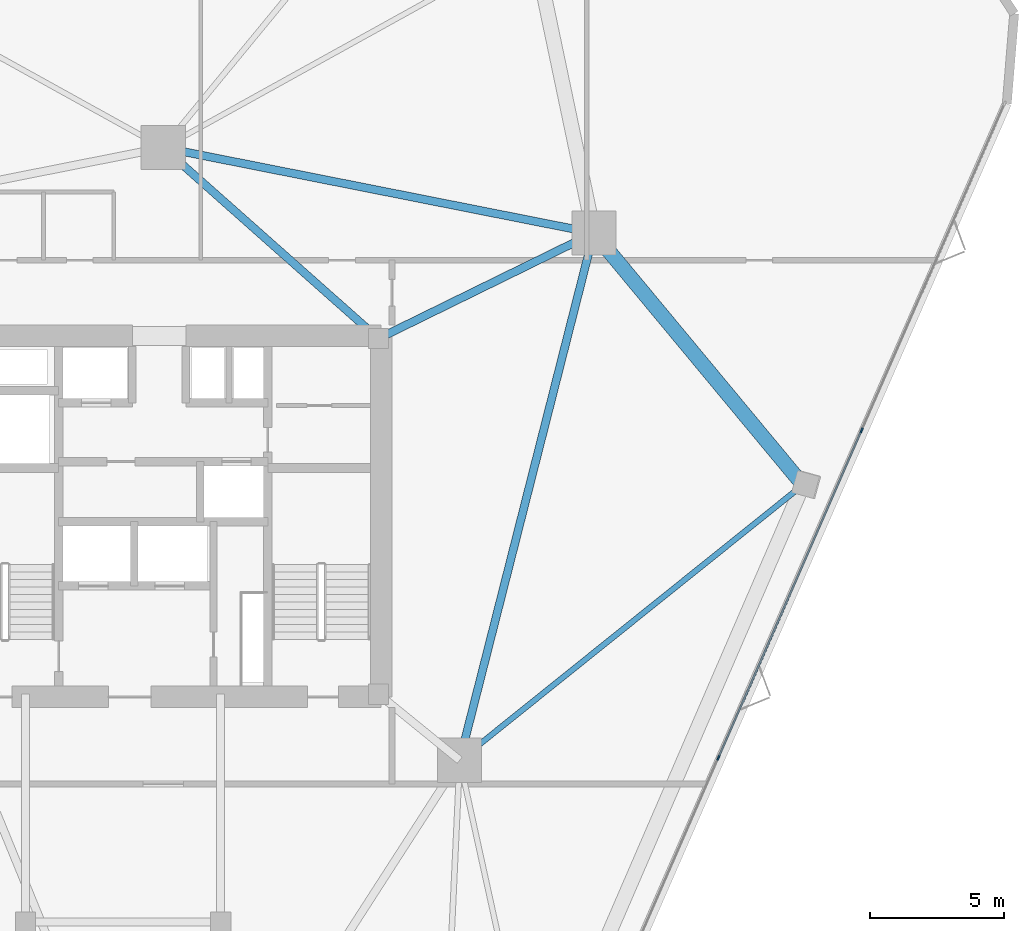
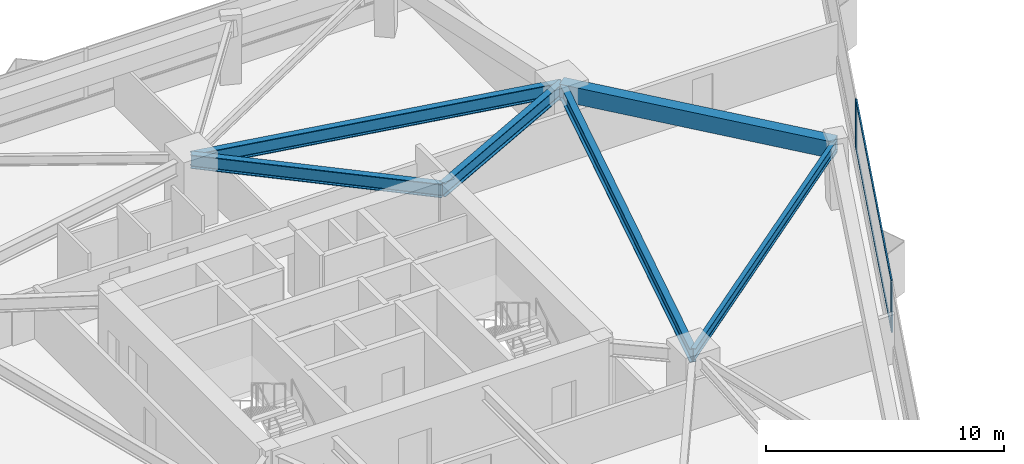
# One storey, part 9 of 19: 6 beams, 4 members, 1 element without a shape of its own.
"""IFC4 building model written with IfcOpenShell, lengths in metres."""

from ifc_helpers import new_model, si_unit, direction, frame, origin, origin_2d, place, context, subcontext, project, spatial, rectangle, i_section, extrude, material, layer, layer_set, material_profile, profile_set, type_object, element, aggregate, save


model = new_model("IFC4")

# Units and contexts
model_context = context("Model", 3, precision=1e-05, world=origin(), true_north=direction((0.0, 1.0)))
body_context = subcontext(model_context, "Body", "Model", "MODEL_VIEW")
ifc_project = project(units=[si_unit("LENGTHUNIT", "METRE"), si_unit("AREAUNIT", "SQUARE_METRE"), si_unit("VOLUMEUNIT", "CUBIC_METRE"), si_unit("PLANEANGLEUNIT", "RADIAN"), si_unit("MASSUNIT", "GRAM", prefix="KILO")], contexts=[model_context])

# Site, building, storey
site_placement = place(None, origin())
site = spatial("IfcSite", under=ifc_project, at=site_placement, CompositionType="ELEMENT")
building_placement = place(site_placement, origin())
building = spatial("IfcBuilding", under=site, at=building_placement, Name="Talyreon Biosciences Tower", CompositionType="ELEMENT")
storey_placement = place(building_placement, frame((0.0, 0.0, 82.300048828125)))
storey = spatial("IfcBuildingStorey", under=building, at=storey_placement, Name="L21", CompositionType="ELEMENT", Elevation=82.300048828125)

# Curtain wall, members
ifc_material_1 = material(Name="Thermally broken aluminium and low-E glazing", Category="aluminium")
ifc_layer = layer(ifc_material_1, 0.18994140625)
ifc_layer_set = layer_set([ifc_layer], Name="Thermally broken aluminium and low-E glazing")
curtain_wall_type = type_object("IfcCurtainWallType", Name="CurtainWall_Zone2Genomics", PredefinedType="NOTDEFINED", material=ifc_layer_set)
curtain_wall_placement = place(storey_placement, origin())
curtain_wall = element("IfcCurtainWall", 1, at=curtain_wall_placement, inside=storey, type_object=curtain_wall_type, Name="L21 Unitised Curtain Wall FCW-L21-08", PredefinedType="NOTDEFINED")
ifc_material_2 = material(Name="Anodised thermally broken aluminium", Category="aluminium")
ifc_material_profile_1 = material_profile(ifc_material_2, rectangle(XDim=0.06494140625, YDim=0.179931640625, at=origin_2d()), Name="ALUM MULLION 65x180")
ifc_profile_set_1 = profile_set([ifc_material_profile_1], Name="Anodised thermally broken aluminium")
member_type_1 = type_object("IfcMemberType", Name="CWMullion_65x180", PredefinedType="MULLION", material=ifc_profile_set_1)
member_1_placement = place(storey_placement, frame((92.11865234375, 71.2197265625, 0.81005859375), z_axis=(0.0, 0.0, 1.0), x_axis=(0.916213942072, -0.400689421314, 0.0)))
member_1 = element("IfcMember", 2, at=member_1_placement, type_object=member_type_1, Name="CW3 mullion 2", PredefinedType="MULLION", context=body_context, shape_type="SweptSolid", body=[
    extrude(rectangle(XDim=0.06494140625, YDim=0.179931640625, at=origin_2d()), origin(), (0.0, 0.0, 1.0), 2.56494140625),
])
member_2_placement = place(storey_placement, frame((86.76171875, 58.970703125, 0.81005859375), z_axis=(0.0, 0.0, 1.0), x_axis=(0.916213942072, -0.400689421314, 0.0)))
member_2 = element("IfcMember", 3, at=member_2_placement, type_object=member_type_1, Name="CW3 mullion 3", PredefinedType="MULLION", context=body_context, shape_type="SweptSolid", body=[
    extrude(rectangle(XDim=0.06494140625, YDim=0.179931640625, at=origin_2d()), origin(), (0.0, 0.0, 1.0), 2.56494140625),
])
ifc_material_profile_2 = material_profile(ifc_material_2, rectangle(XDim=0.06494140625, YDim=0.139892578125, at=origin_2d()), Name="ALUM TRANSOM 65x140")
ifc_profile_set_2 = profile_set([ifc_material_profile_2], Name="Anodised thermally broken aluminium")
member_type_2 = type_object("IfcMemberType", Name="CWTransom_65x140", PredefinedType="USERDEFINED", material=ifc_profile_set_2)
member_3_placement = place(storey_placement, frame((92.105712890625, 71.18994140625, 0.842529296875), z_axis=(-0.40068790809, -0.916214603852, 0.0), x_axis=(0.916214603852, -0.40068790809, 0.0)))
member_3 = element("IfcMember", 4, at=member_3_placement, type_object=member_type_2, Name="CW3 transom 2.1", ObjectType="TRANSOM", PredefinedType="USERDEFINED", context=body_context, shape_type="SweptSolid", body=[
    extrude(rectangle(XDim=0.06494140625, YDim=0.139892578125, at=origin_2d()), origin(), (0.0, 0.0, 1.0), 13.30419921875),
])
member_4_placement = place(storey_placement, frame((92.105712890625, 71.18994140625, 3.342529296875), z_axis=(-0.40068790809, -0.916214603852, 0.0), x_axis=(0.916214603852, -0.40068790809, 0.0)))
member_4 = element("IfcMember", 5, at=member_4_placement, type_object=member_type_2, Name="CW3 transom 2.2", ObjectType="TRANSOM", PredefinedType="USERDEFINED", context=body_context, shape_type="SweptSolid", body=[
    extrude(rectangle(XDim=0.06494140625, YDim=0.139892578125, at=origin_2d()), origin(), (0.0, 0.0, 1.0), 13.30419921875),
])
aggregate(curtain_wall, [member_1, member_2, member_3, member_4])

# Beams
ifc_material_3 = material(Name="Precast concrete C45/55", Category="concrete")
ifc_material_profile_3 = material_profile(ifc_material_3, rectangle(XDim=0.550048828125, YDim=0.85009765625, at=origin_2d()), Name="RCB 550x850")
ifc_profile_set_3 = profile_set([ifc_material_profile_3], Name="Precast concrete C45/55")
beam_type_1 = type_object("IfcBeamType", Name="ExpressedSpandrel_550x850", PredefinedType="SPANDREL", material=ifc_profile_set_3)
beam_1_placement = place(storey_placement, frame((89.923828125, 69.177734375, 2.949951171875), z_axis=(-0.638775196455, 0.769393428873, 0.0), x_axis=(-0.769393428873, -0.638775196455, 0.0)))
element("IfcBeam", 6, at=beam_1_placement, inside=storey, type_object=beam_type_1, Name="L21 Expressed Horizontal Concrete Spandrel 04", PredefinedType="SPANDREL", context=body_context, shape_type="SweptSolid", body=[
    extrude(rectangle(XDim=0.550048828125, YDim=0.85009765625, at=origin_2d()), origin(), (0.0, 0.0, 1.0), 12.24462890625),
])
ifc_material_4 = material(Name="Steel SM355", Category="steel")
ifc_material_profile_4 = material_profile(ifc_material_4, i_section(OverallWidth=0.300048828125, OverallDepth=0.699951171875, WebThickness=0.01708984375, FlangeThickness=0.031982421875, FilletRadius=0.027099609375, at=origin_2d()), Name="HE700B")
ifc_profile_set_4 = profile_set([ifc_material_profile_4], Name="Steel SM355")
beam_type_2 = type_object("IfcBeamType", Name="SteelGirder_HE700B", PredefinedType="BEAM", material=ifc_profile_set_4)
beam_2_placement = place(storey_placement, frame((77.086181640625, 58.88037109375, 3.02490234375), z_axis=(0.246537082299, 0.969133358755, 0.0), x_axis=(-0.969133358755, 0.246537082299, 0.0)))
element("IfcBeam", 7, at=beam_2_placement, inside=storey, type_object=beam_type_2, Name="L21 Mega-Ring Girder 2", PredefinedType="BEAM", context=body_context, shape_type="SweptSolid", body=[
    extrude(i_section(OverallWidth=0.300048828125, OverallDepth=0.699951171875, WebThickness=0.01708984375, FlangeThickness=0.031982421875, FilletRadius=0.027099609375, at=origin_2d()), origin(), (0.0, 0.0, 1.0), 20.34619140625),
])
beam_3_placement = place(storey_placement, frame((82.102294921875, 78.5986328125, 3.02490234375), z_axis=(-0.980933730698, 0.194342522311, 0.0), x_axis=(-0.194342522311, -0.980933730698, 0.0)))
element("IfcBeam", 8, at=beam_3_placement, inside=storey, type_object=beam_type_2, Name="L21 Mega-Ring Girder 3", PredefinedType="BEAM", context=body_context, shape_type="SweptSolid", body=[
    extrude(i_section(OverallWidth=0.300048828125, OverallDepth=0.699951171875, WebThickness=0.01708984375, FlangeThickness=0.031982421875, FilletRadius=0.027099609375, at=origin_2d()), origin(), (0.0, 0.0, 1.0), 16.415283203125),
])
beam_4_placement = place(storey_placement, frame((74.050048828125, 74.64990234375, 3.02490234375), z_axis=(0.897852360314, 0.440296648952, 0.0), x_axis=(-0.440296648952, 0.897852360314, 0.0)))
element("IfcBeam", 9, at=beam_4_placement, inside=storey, type_object=beam_type_2, Name="L21 Radial Primary Girder 3", PredefinedType="BEAM", context=body_context, shape_type="SweptSolid", body=[
    extrude(i_section(OverallWidth=0.300048828125, OverallDepth=0.699951171875, WebThickness=0.01708984375, FlangeThickness=0.031982421875, FilletRadius=0.027099609375, at=origin_2d()), origin(), (0.0, 0.0, 1.0), 8.96826171875),
])
beam_5_placement = place(storey_placement, frame((74.050048828125, 74.64990234375, 3.02490234375), z_axis=(-0.748178733955, 0.663497235908, 0.0), x_axis=(-0.663497235908, -0.748178733955, 0.0)))
element("IfcBeam", 10, at=beam_5_placement, inside=storey, type_object=beam_type_2, Name="L21 Radial Primary Girder 4", PredefinedType="BEAM", context=body_context, shape_type="SweptSolid", body=[
    extrude(i_section(OverallWidth=0.300048828125, OverallDepth=0.699951171875, WebThickness=0.01708984375, FlangeThickness=0.031982421875, FilletRadius=0.027099609375, at=origin_2d()), origin(), (0.0, 0.0, 1.0), 10.759521484375),
])
ifc_material_profile_5 = material_profile(ifc_material_4, i_section(OverallWidth=0.2099609375, OverallDepth=0.550048828125, WebThickness=0.010986328125, FlangeThickness=0.01708984375, FilletRadius=0.02392578125, at=origin_2d()), Name="IPE550")
ifc_profile_set_5 = profile_set([ifc_material_profile_5], Name="Steel SM355")
beam_type_3 = type_object("IfcBeamType", Name="SteelJoist_IPE550", PredefinedType="JOIST", material=ifc_profile_set_5)
beam_6_placement = place(storey_placement, frame((77.086181640625, 58.88037109375, 3.099853515625), z_axis=(0.780060562522, 0.625704018524, 0.0), x_axis=(-0.625704018524, 0.780060562522, 0.0)))
element("IfcBeam", 11, at=beam_6_placement, inside=storey, type_object=beam_type_3, Name="L21 Radial Composite Floor Joist PC-SE2", PredefinedType="JOIST", context=body_context, shape_type="SweptSolid", body=[
    extrude(i_section(OverallWidth=0.2099609375, OverallDepth=0.550048828125, WebThickness=0.010986328125, FlangeThickness=0.01708984375, FilletRadius=0.02392578125, at=origin_2d()), origin(), (0.0, 0.0, 1.0), 16.457275390625),
])

save(model, "model.ifc")
